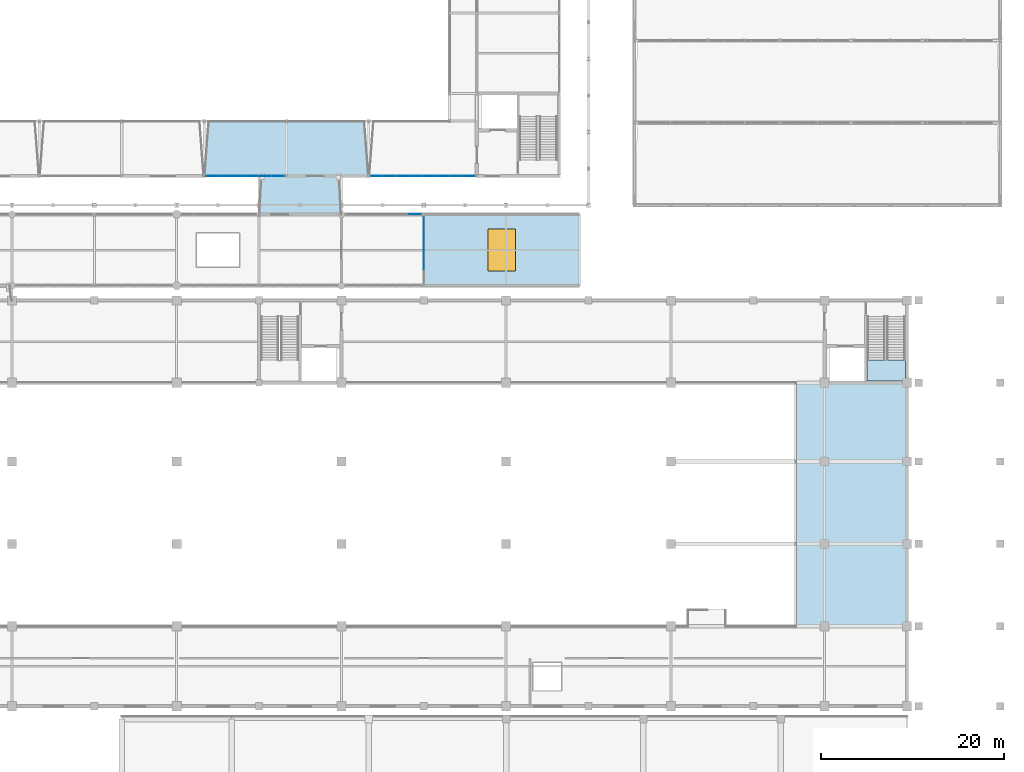
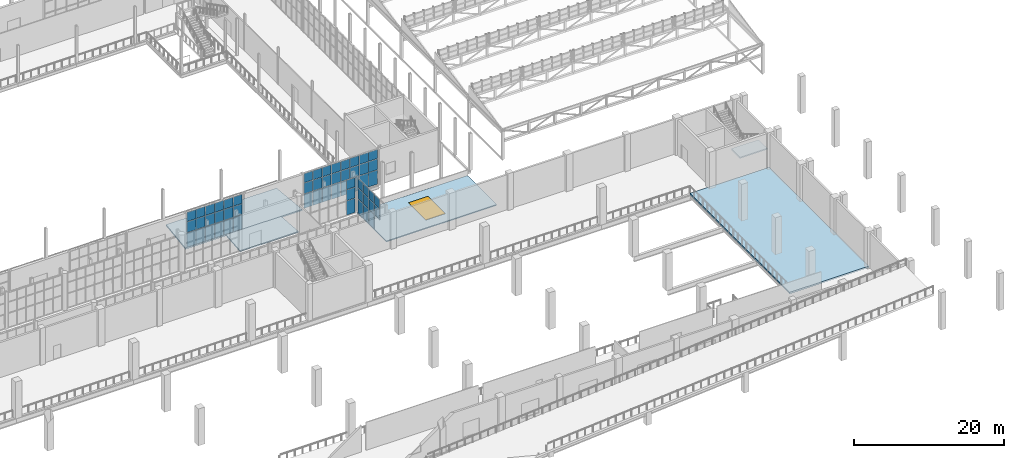
# One storey, part 112 of 159: 56 plates, 5 slabs, 1 window, 1 opening, 5 elements without a shape of their own.
"""IFC4 building model written with IfcOpenShell, lengths in metres."""

from ifc_helpers import new_model, si_unit, direction, frame, origin, origin_2d, place, context, subcontext, project, spatial, polyline, rectangle, outline, extrude, material, layer, layer_set, type_object, element, fill, aggregate, save


model = new_model("IFC4")

# Units and contexts
model_context = context("Model", 3, precision=1e-05, world=origin(), true_north=direction((0.0, 1.0)))
body_context = subcontext(model_context, "Body", "Model", "MODEL_VIEW")
ifc_project = project(units=[si_unit("LENGTHUNIT", "METRE"), si_unit("AREAUNIT", "SQUARE_METRE"), si_unit("VOLUMEUNIT", "CUBIC_METRE"), si_unit("PLANEANGLEUNIT", "RADIAN"), si_unit("MASSUNIT", "GRAM", prefix="KILO")], contexts=[model_context])

# Site, building, storey
site_placement = place(None, origin())
site = spatial("IfcSite", under=ifc_project, at=site_placement, CompositionType="ELEMENT")
building_placement = place(site_placement, origin())
building = spatial("IfcBuilding", under=site, at=building_placement, Name="Cazmaro Siding Exhibition Halls", CompositionType="ELEMENT")
storey_placement = place(building_placement, frame((0.0, 0.0, 6.0)))
storey = spatial("IfcBuildingStorey", under=building, at=storey_placement, Name="L01", CompositionType="ELEMENT", Elevation=6.0)

# Curtain wall, plates
ifc_material_1 = material(Name="Anodized Bronze Aluminum and Solar-Control Low-E Glazing", Category="aluminium")
ifc_layer_1 = layer(ifc_material_1, 0.179931640625)
ifc_layer_set_1 = layer_set([ifc_layer_1], Name="Anodized Bronze Aluminum and Solar-Control Low-E Glazing")
curtain_wall_type_1 = type_object("IfcCurtainWallType", Name="CWS-01", PredefinedType="USERDEFINED", material=ifc_layer_set_1)
curtain_wall_1_placement = place(storey_placement, origin())
curtain_wall_1 = element("IfcCurtainWall", 1, at=curtain_wall_1_placement, inside=storey, type_object=curtain_wall_type_1, Name="Glazed Curtain Wall CWS-01 CW-036", ObjectType="GLAZED CURTAIN WALL", PredefinedType="USERDEFINED")
ifc_material_2 = material(Name="Solar-Control Low-E Double Insulating Glass", Category="glass")
ifc_layer_2 = layer(ifc_material_2, 0.02392578125)
ifc_layer_set_2 = layer_set([ifc_layer_2], Name="Solar-Control Low-E Double Insulating Glass")
plate_type_1 = type_object("IfcPlateType", Name="CWP-01", PredefinedType="CURTAIN_PANEL", material=ifc_layer_set_2)
plate_1_placement = place(storey_placement, frame((129.92919921875, 67.199951171875, 0.06005859375), z_axis=(0.0, 0.0, 1.0), x_axis=(1.0, 0.0, 0.0)))
plate_1 = element("IfcPlate", 2, at=plate_1_placement, type_object=plate_type_1, Name="CWS-01 panel 1.1", PredefinedType="CURTAIN_PANEL", context=body_context, shape_type="SweptSolid", body=[
    extrude(rectangle(XDim=1.34423828125, YDim=0.02392578125, at=origin_2d()), origin(), (0.0, 0.0, 1.0), 2.31005859375),
])
plate_2_placement = place(storey_placement, frame((129.92919921875, 67.199951171875, 2.43017578125), z_axis=(0.0, 0.0, 1.0), x_axis=(1.0, 0.0, 0.0)))
plate_2 = element("IfcPlate", 3, at=plate_2_placement, type_object=plate_type_1, Name="CWS-01 panel 1.2", PredefinedType="CURTAIN_PANEL", context=body_context, shape_type="SweptSolid", body=[
    extrude(rectangle(XDim=1.34423828125, YDim=0.02392578125, at=origin_2d()), origin(), (0.0, 0.0, 1.0), 1.739990234375),
])
plate_3_placement = place(storey_placement, frame((129.92919921875, 67.199951171875, 4.22998046875), z_axis=(0.0, 0.0, 1.0), x_axis=(1.0, 0.0, 0.0)))
plate_3 = element("IfcPlate", 4, at=plate_3_placement, type_object=plate_type_1, Name="CWS-01 panel 1.3", PredefinedType="CURTAIN_PANEL", context=body_context, shape_type="SweptSolid", body=[
    extrude(rectangle(XDim=1.34423828125, YDim=0.02392578125, at=origin_2d()), origin(), (0.0, 0.0, 1.0), 1.489990234375),
])
plate_4_placement = place(storey_placement, frame((131.348388671875, 67.199951171875, 0.06005859375), z_axis=(0.0, 0.0, 1.0), x_axis=(1.0, 0.0, 0.0)))
plate_4 = element("IfcPlate", 5, at=plate_4_placement, type_object=plate_type_1, Name="CWS-01 panel 2.1", PredefinedType="CURTAIN_PANEL", context=body_context, shape_type="SweptSolid", body=[
    extrude(rectangle(XDim=1.374267578125, YDim=0.02392578125, at=origin_2d()), origin(), (0.0, 0.0, 1.0), 2.31005859375),
])
plate_5_placement = place(storey_placement, frame((131.348388671875, 67.199951171875, 2.43017578125), z_axis=(0.0, 0.0, 1.0), x_axis=(1.0, 0.0, 0.0)))
plate_5 = element("IfcPlate", 6, at=plate_5_placement, type_object=plate_type_1, Name="CWS-01 panel 2.2", PredefinedType="CURTAIN_PANEL", context=body_context, shape_type="SweptSolid", body=[
    extrude(rectangle(XDim=1.374267578125, YDim=0.02392578125, at=origin_2d()), origin(), (0.0, 0.0, 1.0), 1.739990234375),
])
plate_6_placement = place(storey_placement, frame((131.348388671875, 67.199951171875, 4.22998046875), z_axis=(0.0, 0.0, 1.0), x_axis=(1.0, 0.0, 0.0)))
plate_6 = element("IfcPlate", 7, at=plate_6_placement, type_object=plate_type_1, Name="CWS-01 panel 2.3", PredefinedType="CURTAIN_PANEL", context=body_context, shape_type="SweptSolid", body=[
    extrude(rectangle(XDim=1.374267578125, YDim=0.02392578125, at=origin_2d()), origin(), (0.0, 0.0, 1.0), 1.489990234375),
])
plate_7_placement = place(storey_placement, frame((132.78271484375, 67.199951171875, 0.06005859375), z_axis=(0.0, 0.0, 1.0), x_axis=(1.0, 0.0, 0.0)))
plate_7 = element("IfcPlate", 8, at=plate_7_placement, type_object=plate_type_1, Name="CWS-01 panel 3.1", PredefinedType="CURTAIN_PANEL", context=body_context, shape_type="SweptSolid", body=[
    extrude(rectangle(XDim=1.374267578125, YDim=0.02392578125, at=origin_2d()), origin(), (0.0, 0.0, 1.0), 2.31005859375),
])
plate_8_placement = place(storey_placement, frame((132.78271484375, 67.199951171875, 2.43017578125), z_axis=(0.0, 0.0, 1.0), x_axis=(1.0, 0.0, 0.0)))
plate_8 = element("IfcPlate", 9, at=plate_8_placement, type_object=plate_type_1, Name="CWS-01 panel 3.2", PredefinedType="CURTAIN_PANEL", context=body_context, shape_type="SweptSolid", body=[
    extrude(rectangle(XDim=1.374267578125, YDim=0.02392578125, at=origin_2d()), origin(), (0.0, 0.0, 1.0), 1.739990234375),
])
plate_9_placement = place(storey_placement, frame((132.78271484375, 67.199951171875, 4.22998046875), z_axis=(0.0, 0.0, 1.0), x_axis=(1.0, 0.0, 0.0)))
plate_9 = element("IfcPlate", 10, at=plate_9_placement, type_object=plate_type_1, Name="CWS-01 panel 3.3", PredefinedType="CURTAIN_PANEL", context=body_context, shape_type="SweptSolid", body=[
    extrude(rectangle(XDim=1.374267578125, YDim=0.02392578125, at=origin_2d()), origin(), (0.0, 0.0, 1.0), 1.489990234375),
])
plate_10_placement = place(storey_placement, frame((134.21728515625, 67.199951171875, 0.06005859375), z_axis=(0.0, 0.0, 1.0), x_axis=(1.0, 0.0, 0.0)))
plate_10 = element("IfcPlate", 11, at=plate_10_placement, type_object=plate_type_1, Name="CWS-01 panel 4.1", PredefinedType="CURTAIN_PANEL", context=body_context, shape_type="SweptSolid", body=[
    extrude(rectangle(XDim=1.374267578125, YDim=0.02392578125, at=origin_2d()), origin(), (0.0, 0.0, 1.0), 2.31005859375),
])
plate_11_placement = place(storey_placement, frame((134.21728515625, 67.199951171875, 2.43017578125), z_axis=(0.0, 0.0, 1.0), x_axis=(1.0, 0.0, 0.0)))
plate_11 = element("IfcPlate", 12, at=plate_11_placement, type_object=plate_type_1, Name="CWS-01 panel 4.2", PredefinedType="CURTAIN_PANEL", context=body_context, shape_type="SweptSolid", body=[
    extrude(rectangle(XDim=1.374267578125, YDim=0.02392578125, at=origin_2d()), origin(), (0.0, 0.0, 1.0), 1.739990234375),
])
plate_12_placement = place(storey_placement, frame((134.21728515625, 67.199951171875, 4.22998046875), z_axis=(0.0, 0.0, 1.0), x_axis=(1.0, 0.0, 0.0)))
plate_12 = element("IfcPlate", 13, at=plate_12_placement, type_object=plate_type_1, Name="CWS-01 panel 4.3", PredefinedType="CURTAIN_PANEL", context=body_context, shape_type="SweptSolid", body=[
    extrude(rectangle(XDim=1.374267578125, YDim=0.02392578125, at=origin_2d()), origin(), (0.0, 0.0, 1.0), 1.489990234375),
])
plate_13_placement = place(storey_placement, frame((135.651611328125, 67.199951171875, 0.06005859375), z_axis=(0.0, 0.0, 1.0), x_axis=(1.0, 0.0, 0.0)))
plate_13 = element("IfcPlate", 14, at=plate_13_placement, type_object=plate_type_1, Name="CWS-01 panel 5.1", PredefinedType="CURTAIN_PANEL", context=body_context, shape_type="SweptSolid", body=[
    extrude(rectangle(XDim=1.374267578125, YDim=0.02392578125, at=origin_2d()), origin(), (0.0, 0.0, 1.0), 2.31005859375),
])
plate_14_placement = place(storey_placement, frame((135.651611328125, 67.199951171875, 2.43017578125), z_axis=(0.0, 0.0, 1.0), x_axis=(1.0, 0.0, 0.0)))
plate_14 = element("IfcPlate", 15, at=plate_14_placement, type_object=plate_type_1, Name="CWS-01 panel 5.2", PredefinedType="CURTAIN_PANEL", context=body_context, shape_type="SweptSolid", body=[
    extrude(rectangle(XDim=1.374267578125, YDim=0.02392578125, at=origin_2d()), origin(), (0.0, 0.0, 1.0), 1.739990234375),
])
plate_15_placement = place(storey_placement, frame((135.651611328125, 67.199951171875, 4.22998046875), z_axis=(0.0, 0.0, 1.0), x_axis=(1.0, 0.0, 0.0)))
plate_15 = element("IfcPlate", 16, at=plate_15_placement, type_object=plate_type_1, Name="CWS-01 panel 5.3", PredefinedType="CURTAIN_PANEL", context=body_context, shape_type="SweptSolid", body=[
    extrude(rectangle(XDim=1.374267578125, YDim=0.02392578125, at=origin_2d()), origin(), (0.0, 0.0, 1.0), 1.489990234375),
])
plate_16_placement = place(storey_placement, frame((137.07080078125, 67.199951171875, 0.06005859375), z_axis=(0.0, 0.0, 1.0), x_axis=(1.0, 0.0, 0.0)))
plate_16 = element("IfcPlate", 17, at=plate_16_placement, type_object=plate_type_1, Name="CWS-01 panel 6.1", PredefinedType="CURTAIN_PANEL", context=body_context, shape_type="SweptSolid", body=[
    extrude(rectangle(XDim=1.34423828125, YDim=0.02392578125, at=origin_2d()), origin(), (0.0, 0.0, 1.0), 2.31005859375),
])
plate_17_placement = place(storey_placement, frame((137.07080078125, 67.199951171875, 2.43017578125), z_axis=(0.0, 0.0, 1.0), x_axis=(1.0, 0.0, 0.0)))
plate_17 = element("IfcPlate", 18, at=plate_17_placement, type_object=plate_type_1, Name="CWS-01 panel 6.2", PredefinedType="CURTAIN_PANEL", context=body_context, shape_type="SweptSolid", body=[
    extrude(rectangle(XDim=1.34423828125, YDim=0.02392578125, at=origin_2d()), origin(), (0.0, 0.0, 1.0), 1.739990234375),
])
plate_18_placement = place(storey_placement, frame((137.07080078125, 67.199951171875, 4.22998046875), z_axis=(0.0, 0.0, 1.0), x_axis=(1.0, 0.0, 0.0)))
plate_18 = element("IfcPlate", 19, at=plate_18_placement, type_object=plate_type_1, Name="CWS-01 panel 6.3", PredefinedType="CURTAIN_PANEL", context=body_context, shape_type="SweptSolid", body=[
    extrude(rectangle(XDim=1.34423828125, YDim=0.02392578125, at=origin_2d()), origin(), (0.0, 0.0, 1.0), 1.489990234375),
])
aggregate(curtain_wall_1, [plate_1, plate_2, plate_3, plate_4, plate_5, plate_6, plate_7, plate_8, plate_9, plate_10, plate_11, plate_12, plate_13, plate_14, plate_15, plate_16, plate_17, plate_18])

curtain_wall_2_placement = place(storey_placement, origin())
curtain_wall_2 = element("IfcCurtainWall", 20, at=curtain_wall_2_placement, inside=storey, type_object=curtain_wall_type_1, Name="Glazed Curtain Wall CWS-01 CW-044", ObjectType="GLAZED CURTAIN WALL", PredefinedType="USERDEFINED")
plate_19_placement = place(storey_placement, frame((147.9248046875, 67.199951171875, 0.06005859375), z_axis=(0.0, 0.0, 1.0), x_axis=(1.0, 0.0, 0.0)))
plate_19 = element("IfcPlate", 21, at=plate_19_placement, type_object=plate_type_1, Name="CWS-01 panel 1.1", PredefinedType="CURTAIN_PANEL", context=body_context, shape_type="SweptSolid", body=[
    extrude(rectangle(XDim=1.335693359375, YDim=0.02392578125, at=origin_2d()), origin(), (0.0, 0.0, 1.0), 2.31005859375),
])
plate_20_placement = place(storey_placement, frame((147.9248046875, 67.199951171875, 2.43017578125), z_axis=(0.0, 0.0, 1.0), x_axis=(1.0, 0.0, 0.0)))
plate_20 = element("IfcPlate", 22, at=plate_20_placement, type_object=plate_type_1, Name="CWS-01 panel 1.2", PredefinedType="CURTAIN_PANEL", context=body_context, shape_type="SweptSolid", body=[
    extrude(rectangle(XDim=1.335693359375, YDim=0.02392578125, at=origin_2d()), origin(), (0.0, 0.0, 1.0), 1.739990234375),
])
plate_21_placement = place(storey_placement, frame((147.9248046875, 67.199951171875, 4.22998046875), z_axis=(0.0, 0.0, 1.0), x_axis=(1.0, 0.0, 0.0)))
plate_21 = element("IfcPlate", 23, at=plate_21_placement, type_object=plate_type_1, Name="CWS-01 panel 1.3", PredefinedType="CURTAIN_PANEL", context=body_context, shape_type="SweptSolid", body=[
    extrude(rectangle(XDim=1.335693359375, YDim=0.02392578125, at=origin_2d()), origin(), (0.0, 0.0, 1.0), 1.489990234375),
])
plate_22_placement = place(storey_placement, frame((149.335693359375, 67.199951171875, 0.06005859375), z_axis=(0.0, 0.0, 1.0), x_axis=(1.0, 0.0, 0.0)))
plate_22 = element("IfcPlate", 24, at=plate_22_placement, type_object=plate_type_1, Name="CWS-01 panel 2.1", PredefinedType="CURTAIN_PANEL", context=body_context, shape_type="SweptSolid", body=[
    extrude(rectangle(XDim=1.36572265625, YDim=0.02392578125, at=origin_2d()), origin(), (0.0, 0.0, 1.0), 2.31005859375),
])
plate_23_placement = place(storey_placement, frame((149.335693359375, 67.199951171875, 2.43017578125), z_axis=(0.0, 0.0, 1.0), x_axis=(1.0, 0.0, 0.0)))
plate_23 = element("IfcPlate", 25, at=plate_23_placement, type_object=plate_type_1, Name="CWS-01 panel 2.2", PredefinedType="CURTAIN_PANEL", context=body_context, shape_type="SweptSolid", body=[
    extrude(rectangle(XDim=1.36572265625, YDim=0.02392578125, at=origin_2d()), origin(), (0.0, 0.0, 1.0), 1.739990234375),
])
plate_24_placement = place(storey_placement, frame((149.335693359375, 67.199951171875, 4.22998046875), z_axis=(0.0, 0.0, 1.0), x_axis=(1.0, 0.0, 0.0)))
plate_24 = element("IfcPlate", 26, at=plate_24_placement, type_object=plate_type_1, Name="CWS-01 panel 2.3", PredefinedType="CURTAIN_PANEL", context=body_context, shape_type="SweptSolid", body=[
    extrude(rectangle(XDim=1.36572265625, YDim=0.02392578125, at=origin_2d()), origin(), (0.0, 0.0, 1.0), 1.489990234375),
])
plate_25_placement = place(storey_placement, frame((150.761474609375, 67.199951171875, 0.06005859375), z_axis=(0.0, 0.0, 1.0), x_axis=(1.0, 0.0, 0.0)))
plate_25 = element("IfcPlate", 27, at=plate_25_placement, type_object=plate_type_1, Name="CWS-01 panel 3.1", PredefinedType="CURTAIN_PANEL", context=body_context, shape_type="SweptSolid", body=[
    extrude(rectangle(XDim=1.36572265625, YDim=0.02392578125, at=origin_2d()), origin(), (0.0, 0.0, 1.0), 2.31005859375),
])
plate_26_placement = place(storey_placement, frame((150.761474609375, 67.199951171875, 2.43017578125), z_axis=(0.0, 0.0, 1.0), x_axis=(1.0, 0.0, 0.0)))
plate_26 = element("IfcPlate", 28, at=plate_26_placement, type_object=plate_type_1, Name="CWS-01 panel 3.2", PredefinedType="CURTAIN_PANEL", context=body_context, shape_type="SweptSolid", body=[
    extrude(rectangle(XDim=1.36572265625, YDim=0.02392578125, at=origin_2d()), origin(), (0.0, 0.0, 1.0), 1.739990234375),
])
plate_27_placement = place(storey_placement, frame((150.761474609375, 67.199951171875, 4.22998046875), z_axis=(0.0, 0.0, 1.0), x_axis=(1.0, 0.0, 0.0)))
plate_27 = element("IfcPlate", 29, at=plate_27_placement, type_object=plate_type_1, Name="CWS-01 panel 3.3", PredefinedType="CURTAIN_PANEL", context=body_context, shape_type="SweptSolid", body=[
    extrude(rectangle(XDim=1.36572265625, YDim=0.02392578125, at=origin_2d()), origin(), (0.0, 0.0, 1.0), 1.489990234375),
])
plate_28_placement = place(storey_placement, frame((152.18701171875, 67.199951171875, 0.06005859375), z_axis=(0.0, 0.0, 1.0), x_axis=(1.0, 0.0, 0.0)))
plate_28 = element("IfcPlate", 30, at=plate_28_placement, type_object=plate_type_1, Name="CWS-01 panel 4.1", PredefinedType="CURTAIN_PANEL", context=body_context, shape_type="SweptSolid", body=[
    extrude(rectangle(XDim=1.36572265625, YDim=0.02392578125, at=origin_2d()), origin(), (0.0, 0.0, 1.0), 2.31005859375),
])
plate_29_placement = place(storey_placement, frame((152.18701171875, 67.199951171875, 2.43017578125), z_axis=(0.0, 0.0, 1.0), x_axis=(1.0, 0.0, 0.0)))
plate_29 = element("IfcPlate", 31, at=plate_29_placement, type_object=plate_type_1, Name="CWS-01 panel 4.2", PredefinedType="CURTAIN_PANEL", context=body_context, shape_type="SweptSolid", body=[
    extrude(rectangle(XDim=1.36572265625, YDim=0.02392578125, at=origin_2d()), origin(), (0.0, 0.0, 1.0), 1.739990234375),
])
plate_30_placement = place(storey_placement, frame((152.18701171875, 67.199951171875, 4.22998046875), z_axis=(0.0, 0.0, 1.0), x_axis=(1.0, 0.0, 0.0)))
plate_30 = element("IfcPlate", 32, at=plate_30_placement, type_object=plate_type_1, Name="CWS-01 panel 4.3", PredefinedType="CURTAIN_PANEL", context=body_context, shape_type="SweptSolid", body=[
    extrude(rectangle(XDim=1.36572265625, YDim=0.02392578125, at=origin_2d()), origin(), (0.0, 0.0, 1.0), 1.489990234375),
])
plate_31_placement = place(storey_placement, frame((153.61279296875, 67.199951171875, 0.06005859375), z_axis=(0.0, 0.0, 1.0), x_axis=(1.0, 0.0, 0.0)))
plate_31 = element("IfcPlate", 33, at=plate_31_placement, type_object=plate_type_1, Name="CWS-01 panel 5.1", PredefinedType="CURTAIN_PANEL", context=body_context, shape_type="SweptSolid", body=[
    extrude(rectangle(XDim=1.36572265625, YDim=0.02392578125, at=origin_2d()), origin(), (0.0, 0.0, 1.0), 2.31005859375),
])
plate_32_placement = place(storey_placement, frame((153.61279296875, 67.199951171875, 2.43017578125), z_axis=(0.0, 0.0, 1.0), x_axis=(1.0, 0.0, 0.0)))
plate_32 = element("IfcPlate", 34, at=plate_32_placement, type_object=plate_type_1, Name="CWS-01 panel 5.2", PredefinedType="CURTAIN_PANEL", context=body_context, shape_type="SweptSolid", body=[
    extrude(rectangle(XDim=1.36572265625, YDim=0.02392578125, at=origin_2d()), origin(), (0.0, 0.0, 1.0), 1.739990234375),
])
plate_33_placement = place(storey_placement, frame((153.61279296875, 67.199951171875, 4.22998046875), z_axis=(0.0, 0.0, 1.0), x_axis=(1.0, 0.0, 0.0)))
plate_33 = element("IfcPlate", 35, at=plate_33_placement, type_object=plate_type_1, Name="CWS-01 panel 5.3", PredefinedType="CURTAIN_PANEL", context=body_context, shape_type="SweptSolid", body=[
    extrude(rectangle(XDim=1.36572265625, YDim=0.02392578125, at=origin_2d()), origin(), (0.0, 0.0, 1.0), 1.489990234375),
])
plate_34_placement = place(storey_placement, frame((155.03857421875, 67.199951171875, 0.06005859375), z_axis=(0.0, 0.0, 1.0), x_axis=(1.0, 0.0, 0.0)))
plate_34 = element("IfcPlate", 36, at=plate_34_placement, type_object=plate_type_1, Name="CWS-01 panel 6.1", PredefinedType="CURTAIN_PANEL", context=body_context, shape_type="SweptSolid", body=[
    extrude(rectangle(XDim=1.36572265625, YDim=0.02392578125, at=origin_2d()), origin(), (0.0, 0.0, 1.0), 2.31005859375),
])
plate_35_placement = place(storey_placement, frame((155.03857421875, 67.199951171875, 2.43017578125), z_axis=(0.0, 0.0, 1.0), x_axis=(1.0, 0.0, 0.0)))
plate_35 = element("IfcPlate", 37, at=plate_35_placement, type_object=plate_type_1, Name="CWS-01 panel 6.2", PredefinedType="CURTAIN_PANEL", context=body_context, shape_type="SweptSolid", body=[
    extrude(rectangle(XDim=1.36572265625, YDim=0.02392578125, at=origin_2d()), origin(), (0.0, 0.0, 1.0), 1.739990234375),
])
plate_36_placement = place(storey_placement, frame((155.03857421875, 67.199951171875, 4.22998046875), z_axis=(0.0, 0.0, 1.0), x_axis=(1.0, 0.0, 0.0)))
plate_36 = element("IfcPlate", 38, at=plate_36_placement, type_object=plate_type_1, Name="CWS-01 panel 6.3", PredefinedType="CURTAIN_PANEL", context=body_context, shape_type="SweptSolid", body=[
    extrude(rectangle(XDim=1.36572265625, YDim=0.02392578125, at=origin_2d()), origin(), (0.0, 0.0, 1.0), 1.489990234375),
])
plate_37_placement = place(storey_placement, frame((156.46435546875, 67.199951171875, 0.06005859375), z_axis=(0.0, 0.0, 1.0), x_axis=(1.0, 0.0, 0.0)))
plate_37 = element("IfcPlate", 39, at=plate_37_placement, type_object=plate_type_1, Name="CWS-01 panel 7.1", PredefinedType="CURTAIN_PANEL", context=body_context, shape_type="SweptSolid", body=[
    extrude(rectangle(XDim=1.36572265625, YDim=0.02392578125, at=origin_2d()), origin(), (0.0, 0.0, 1.0), 2.31005859375),
])
plate_38_placement = place(storey_placement, frame((156.46435546875, 67.199951171875, 2.43017578125), z_axis=(0.0, 0.0, 1.0), x_axis=(1.0, 0.0, 0.0)))
plate_38 = element("IfcPlate", 40, at=plate_38_placement, type_object=plate_type_1, Name="CWS-01 panel 7.2", PredefinedType="CURTAIN_PANEL", context=body_context, shape_type="SweptSolid", body=[
    extrude(rectangle(XDim=1.36572265625, YDim=0.02392578125, at=origin_2d()), origin(), (0.0, 0.0, 1.0), 1.739990234375),
])
plate_39_placement = place(storey_placement, frame((156.46435546875, 67.199951171875, 4.22998046875), z_axis=(0.0, 0.0, 1.0), x_axis=(1.0, 0.0, 0.0)))
plate_39 = element("IfcPlate", 41, at=plate_39_placement, type_object=plate_type_1, Name="CWS-01 panel 7.3", PredefinedType="CURTAIN_PANEL", context=body_context, shape_type="SweptSolid", body=[
    extrude(rectangle(XDim=1.36572265625, YDim=0.02392578125, at=origin_2d()), origin(), (0.0, 0.0, 1.0), 1.489990234375),
])
plate_40_placement = place(storey_placement, frame((157.875244140625, 67.199951171875, 0.06005859375), z_axis=(0.0, 0.0, 1.0), x_axis=(1.0, 0.0, 0.0)))
plate_40 = element("IfcPlate", 42, at=plate_40_placement, type_object=plate_type_1, Name="CWS-01 panel 8.1", PredefinedType="CURTAIN_PANEL", context=body_context, shape_type="SweptSolid", body=[
    extrude(rectangle(XDim=1.335693359375, YDim=0.02392578125, at=origin_2d()), origin(), (0.0, 0.0, 1.0), 2.31005859375),
])
plate_41_placement = place(storey_placement, frame((157.875244140625, 67.199951171875, 2.43017578125), z_axis=(0.0, 0.0, 1.0), x_axis=(1.0, 0.0, 0.0)))
plate_41 = element("IfcPlate", 43, at=plate_41_placement, type_object=plate_type_1, Name="CWS-01 panel 8.2", PredefinedType="CURTAIN_PANEL", context=body_context, shape_type="SweptSolid", body=[
    extrude(rectangle(XDim=1.335693359375, YDim=0.02392578125, at=origin_2d()), origin(), (0.0, 0.0, 1.0), 1.739990234375),
])
plate_42_placement = place(storey_placement, frame((157.875244140625, 67.199951171875, 4.22998046875), z_axis=(0.0, 0.0, 1.0), x_axis=(1.0, 0.0, 0.0)))
plate_42 = element("IfcPlate", 44, at=plate_42_placement, type_object=plate_type_1, Name="CWS-01 panel 8.3", PredefinedType="CURTAIN_PANEL", context=body_context, shape_type="SweptSolid", body=[
    extrude(rectangle(XDim=1.335693359375, YDim=0.02392578125, at=origin_2d()), origin(), (0.0, 0.0, 1.0), 1.489990234375),
])
aggregate(curtain_wall_2, [plate_19, plate_20, plate_21, plate_22, plate_23, plate_24, plate_25, plate_26, plate_27, plate_28, plate_29, plate_30, plate_31, plate_32, plate_33, plate_34, plate_35, plate_36, plate_37, plate_38, plate_39, plate_40, plate_41, plate_42])

curtain_wall_3_placement = place(storey_placement, origin())
curtain_wall_3 = element("IfcCurtainWall", 45, at=curtain_wall_3_placement, inside=storey, type_object=curtain_wall_type_1, Name="Glazed Curtain Wall CWS-01 CW-203", ObjectType="GLAZED CURTAIN WALL", PredefinedType="USERDEFINED")
plate_43_placement = place(storey_placement, frame((152.05810546875, 63.0, 0.06005859375), z_axis=(0.0, 0.0, 1.0), x_axis=(-1.0, 0.0, 0.0)))
plate_43 = element("IfcPlate", 46, at=plate_43_placement, type_object=plate_type_1, Name="CWS-01 panel 1.1", PredefinedType="CURTAIN_PANEL", context=body_context, shape_type="SweptSolid", body=[
    extrude(rectangle(XDim=1.3037109375, YDim=0.02392578125, at=origin_2d()), origin(), (0.0, 0.0, 1.0), 2.31005859375),
])
plate_44_placement = place(storey_placement, frame((152.05810546875, 63.0, 2.43017578125), z_axis=(0.0, 0.0, 1.0), x_axis=(-1.0, 0.0, 0.0)))
plate_44 = element("IfcPlate", 47, at=plate_44_placement, type_object=plate_type_1, Name="CWS-01 panel 1.2", PredefinedType="CURTAIN_PANEL", context=body_context, shape_type="SweptSolid", body=[
    extrude(rectangle(XDim=1.3037109375, YDim=0.02392578125, at=origin_2d()), origin(), (0.0, 0.0, 1.0), 1.739990234375),
])
plate_45_placement = place(storey_placement, frame((152.05810546875, 63.0, 4.22998046875), z_axis=(0.0, 0.0, 1.0), x_axis=(-1.0, 0.0, 0.0)))
plate_45 = element("IfcPlate", 48, at=plate_45_placement, type_object=plate_type_1, Name="CWS-01 panel 1.3", PredefinedType="CURTAIN_PANEL", context=body_context, shape_type="SweptSolid", body=[
    extrude(rectangle(XDim=1.3037109375, YDim=0.02392578125, at=origin_2d()), origin(), (0.0, 0.0, 1.0), 1.489990234375),
])
aggregate(curtain_wall_3, [plate_43, plate_44, plate_45])

ifc_material_3 = material(Name="Anodized Bronze Aluminum and Solar-Control Low-E Glazing", Category="aluminium")
ifc_layer_3 = layer(ifc_material_3, 0.199951171875)
ifc_layer_set_3 = layer_set([ifc_layer_3], Name="Anodized Bronze Aluminum and Solar-Control Low-E Glazing")
curtain_wall_type_2 = type_object("IfcCurtainWallType", Name="CWS-02", PredefinedType="USERDEFINED", material=ifc_layer_set_3)
curtain_wall_4_placement = place(storey_placement, origin())
curtain_wall_4 = element("IfcCurtainWall", 49, at=curtain_wall_4_placement, inside=storey, type_object=curtain_wall_type_2, Name="Glazed Curtain Wall CWS-02 CW-208", ObjectType="GLAZED CURTAIN WALL", PredefinedType="USERDEFINED")
ifc_material_4 = material(Name="Solar-Control Low-E Double Insulating Glass", Category="glass")
ifc_layer_4 = layer(ifc_material_4, 0.035888671875)
ifc_layer_set_4 = layer_set([ifc_layer_4], Name="Solar-Control Low-E Double Insulating Glass")
plate_type_2 = type_object("IfcPlateType", Name="CWP-02", PredefinedType="CURTAIN_PANEL", material=ifc_layer_set_4)
plate_46_placement = place(storey_placement, frame((153.0, 57.630859375, 2.4326171875), z_axis=(0.0, 0.0, 1.0), x_axis=(0.0, 1.0, 0.0)))
plate_46 = element("IfcPlate", 50, at=plate_46_placement, type_object=plate_type_2, Name="CWS-02 panel 2.2", PredefinedType="CURTAIN_PANEL", context=body_context, shape_type="SweptSolid", body=[
    extrude(rectangle(XDim=1.404296875, YDim=0.035888671875, at=origin_2d()), origin(), (0.0, 0.0, 1.0), 1.735107421875),
])
plate_47_placement = place(storey_placement, frame((153.0, 57.630859375, 4.232421875), z_axis=(0.0, 0.0, 1.0), x_axis=(0.0, 1.0, 0.0)))
plate_47 = element("IfcPlate", 51, at=plate_47_placement, type_object=plate_type_2, Name="CWS-02 panel 2.3", PredefinedType="CURTAIN_PANEL", context=body_context, shape_type="SweptSolid", body=[
    extrude(rectangle(XDim=1.404296875, YDim=0.035888671875, at=origin_2d()), origin(), (0.0, 0.0, 1.0), 1.482421875),
])
plate_48_placement = place(storey_placement, frame((153.0, 59.10009765625, 0.06494140625), z_axis=(0.0, 0.0, 1.0), x_axis=(0.0, 1.0, 0.0)))
plate_48 = element("IfcPlate", 52, at=plate_48_placement, type_object=plate_type_2, Name="CWS-02 panel 3.1", PredefinedType="CURTAIN_PANEL", context=body_context, shape_type="SweptSolid", body=[
    extrude(rectangle(XDim=1.404296875, YDim=0.035888671875, at=origin_2d()), origin(), (0.0, 0.0, 1.0), 2.302490234375),
])
plate_49_placement = place(storey_placement, frame((153.0, 59.10009765625, 2.4326171875), z_axis=(0.0, 0.0, 1.0), x_axis=(0.0, 1.0, 0.0)))
plate_49 = element("IfcPlate", 53, at=plate_49_placement, type_object=plate_type_2, Name="CWS-02 panel 3.2", PredefinedType="CURTAIN_PANEL", context=body_context, shape_type="SweptSolid", body=[
    extrude(rectangle(XDim=1.404296875, YDim=0.035888671875, at=origin_2d()), origin(), (0.0, 0.0, 1.0), 1.735107421875),
])
plate_50_placement = place(storey_placement, frame((153.0, 59.10009765625, 4.232421875), z_axis=(0.0, 0.0, 1.0), x_axis=(0.0, 1.0, 0.0)))
plate_50 = element("IfcPlate", 54, at=plate_50_placement, type_object=plate_type_2, Name="CWS-02 panel 3.3", PredefinedType="CURTAIN_PANEL", context=body_context, shape_type="SweptSolid", body=[
    extrude(rectangle(XDim=1.404296875, YDim=0.035888671875, at=origin_2d()), origin(), (0.0, 0.0, 1.0), 1.482421875),
])
plate_51_placement = place(storey_placement, frame((153.0, 60.569091796875, 0.06494140625), z_axis=(0.0, 0.0, 1.0), x_axis=(0.0, 1.0, 0.0)))
plate_51 = element("IfcPlate", 55, at=plate_51_placement, type_object=plate_type_2, Name="CWS-02 panel 4.1", PredefinedType="CURTAIN_PANEL", context=body_context, shape_type="SweptSolid", body=[
    extrude(rectangle(XDim=1.404296875, YDim=0.035888671875, at=origin_2d()), origin(), (0.0, 0.0, 1.0), 2.302490234375),
])
plate_52_placement = place(storey_placement, frame((153.0, 60.569091796875, 2.4326171875), z_axis=(0.0, 0.0, 1.0), x_axis=(0.0, 1.0, 0.0)))
plate_52 = element("IfcPlate", 56, at=plate_52_placement, type_object=plate_type_2, Name="CWS-02 panel 4.2", PredefinedType="CURTAIN_PANEL", context=body_context, shape_type="SweptSolid", body=[
    extrude(rectangle(XDim=1.404296875, YDim=0.035888671875, at=origin_2d()), origin(), (0.0, 0.0, 1.0), 1.735107421875),
])
plate_53_placement = place(storey_placement, frame((153.0, 60.569091796875, 4.232421875), z_axis=(0.0, 0.0, 1.0), x_axis=(0.0, 1.0, 0.0)))
plate_53 = element("IfcPlate", 57, at=plate_53_placement, type_object=plate_type_2, Name="CWS-02 panel 4.3", PredefinedType="CURTAIN_PANEL", context=body_context, shape_type="SweptSolid", body=[
    extrude(rectangle(XDim=1.404296875, YDim=0.035888671875, at=origin_2d()), origin(), (0.0, 0.0, 1.0), 1.482421875),
])
plate_54_placement = place(storey_placement, frame((153.0, 62.022216796875, 0.06494140625), z_axis=(0.0, 0.0, 1.0), x_axis=(0.0, 1.0, 0.0)))
plate_54 = element("IfcPlate", 58, at=plate_54_placement, type_object=plate_type_2, Name="CWS-02 panel 5.1", PredefinedType="CURTAIN_PANEL", context=body_context, shape_type="SweptSolid", body=[
    extrude(rectangle(XDim=1.37158203125, YDim=0.035888671875, at=origin_2d()), origin(), (0.0, 0.0, 1.0), 2.302490234375),
])
plate_55_placement = place(storey_placement, frame((153.0, 62.022216796875, 2.4326171875), z_axis=(0.0, 0.0, 1.0), x_axis=(0.0, 1.0, 0.0)))
plate_55 = element("IfcPlate", 59, at=plate_55_placement, type_object=plate_type_2, Name="CWS-02 panel 5.2", PredefinedType="CURTAIN_PANEL", context=body_context, shape_type="SweptSolid", body=[
    extrude(rectangle(XDim=1.37158203125, YDim=0.035888671875, at=origin_2d()), origin(), (0.0, 0.0, 1.0), 1.735107421875),
])
plate_56_placement = place(storey_placement, frame((153.0, 62.022216796875, 4.232421875), z_axis=(0.0, 0.0, 1.0), x_axis=(0.0, 1.0, 0.0)))
plate_56 = element("IfcPlate", 60, at=plate_56_placement, type_object=plate_type_2, Name="CWS-02 panel 5.3", PredefinedType="CURTAIN_PANEL", context=body_context, shape_type="SweptSolid", body=[
    extrude(rectangle(XDim=1.37158203125, YDim=0.035888671875, at=origin_2d()), origin(), (0.0, 0.0, 1.0), 1.482421875),
])
aggregate(curtain_wall_4, [plate_46, plate_47, plate_48, plate_49, plate_50, plate_51, plate_52, plate_53, plate_54, plate_55, plate_56])

# Slabs
ifc_material_5 = material(Name="Concrete f'c 35 MPa", Category="concrete")
ifc_layer_5 = layer(ifc_material_5, 0.219970703125)
ifc_layer_set_5 = layer_set([ifc_layer_5], Name="Concrete f'c 35 MPa")
slab_type_1 = type_object("IfcSlabType", Name="FS-01", PredefinedType="FLOOR", material=ifc_layer_set_5)
slab_1_placement = place(storey_placement, frame((0.0, 0.0, -0.219970703125)))
element("IfcSlab", 61, at=slab_1_placement, inside=storey, type_object=slab_type_1, Name="Hall A South Exhibitor Gallery Bay 5 L01 FS-01 SLB-0094", PredefinedType="FLOOR", context=body_context, shape_type="SweptSolid", body=[
    extrude(outline(polyline([(129.0, 67.199951171875), (147.0, 67.199951171875), (146.5, 73.199951171875), (129.5, 73.199951171875), (129.0, 67.199951171875)])), origin(), (0.0, 0.0, 1.0), 0.219970703125),
])
ifc_material_6 = material(Name="Concrete f'c 35 MPa", Category="concrete")
ifc_layer_6 = layer(ifc_material_6, 0.25)
ifc_layer_set_6 = layer_set([ifc_layer_6], Name="Concrete f'c 35 MPa")
slab_type_2 = type_object("IfcSlabType", Name="FS-02", PredefinedType="FLOOR", material=ifc_layer_set_6)
slab_2_placement = place(storey_placement, frame((0.0, 0.0, -0.25)))
element("IfcSlab", 62, at=slab_2_placement, inside=storey, type_object=slab_type_2, Name="Hall B1 East Mezzanine Link Gallery L01 FS-02 SLB-0017", PredefinedType="FLOOR", context=body_context, shape_type="SweptSolid", body=[
    extrude(outline(polyline([(193.60009765625, 18.0), (205.800048828125, 18.0), (205.800048828125, 44.60009765625), (193.60009765625, 44.60009765625), (193.60009765625, 18.0)])), origin(), (0.0, 0.0, 1.0), 0.25),
])
ifc_material_7 = material(Name="Concrete f'c 35 MPa", Category="concrete")
ifc_layer_7 = layer(ifc_material_7, 0.18994140625)
ifc_layer_set_7 = layer_set([ifc_layer_7], Name="Concrete f'c 35 MPa")
slab_type_3 = type_object("IfcSlabType", Name="FS-04", PredefinedType="FLOOR", material=ifc_layer_set_7)
slab_3_placement = place(storey_placement, frame((0.0, 0.0, -0.18994140625)))
element("IfcSlab", 63, at=slab_3_placement, inside=storey, type_object=slab_type_3, Name="Concourse Sliding Bridge SB-02 L01 FS-04 SLB-0048", PredefinedType="FLOOR", context=body_context, shape_type="SweptSolid", body=[
    extrude(outline(polyline([(135.0, 63.0), (144.0, 63.0), (143.75, 67.199951171875), (135.25, 67.199951171875), (135.0, 63.0)])), origin(), (0.0, 0.0, 1.0), 0.18994140625),
])

# Stair, slab
ifc_material_8 = material(Name="Concrete f'c 40 MPa", Category="concrete")
stair_type = type_object("IfcStairType", Name="STT-10", PredefinedType="TWO_STRAIGHT_RUN_STAIR", material=ifc_material_8)
stair_placement = place(storey_placement, origin())
stair = element("IfcStair", 64, at=stair_placement, inside=storey, type_object=stair_type, Name="Core C5 Exit Stair L01-L02 ST-10", PredefinedType="TWO_STRAIGHT_RUN_STAIR")
ifc_material_9 = material(Name="Concrete f'c 40 MPa", Category="concrete")
ifc_layer_8 = layer(ifc_material_9, 0.199951171875)
ifc_layer_set_8 = layer_set([ifc_layer_8], Name="Concrete f'c 40 MPa")
slab_type_4 = type_object("IfcSlabType", Name="LND-10", PredefinedType="LANDING", material=ifc_layer_set_8)
slab_4_placement = place(storey_placement, frame((0.0, 0.0, 2.800048828125)))
slab_4 = element("IfcSlab", 65, at=slab_4_placement, type_object=slab_type_4, Name="ST-10 landing 1", PredefinedType="LANDING", context=body_context, shape_type="SweptSolid", body=[
    extrude(outline(polyline([(201.419921875, 44.77490234375), (205.625, 44.77490234375), (205.625, 47.10009765625), (201.419921875, 47.10009765625), (201.419921875, 44.77490234375)])), origin(), (0.0, 0.0, 1.0), 0.199951171875),
])
aggregate(stair, [slab_4])

# Slab, opening, window
ifc_material_10 = material(Name="Concrete f'c 35 MPa", Category="concrete")
ifc_layer_9 = layer(ifc_material_10, 0.159912109375)
ifc_layer_set_9 = layer_set([ifc_layer_9], Name="Concrete f'c 35 MPa")
slab_type_5 = type_object("IfcSlabType", Name="RS-01", PredefinedType="ROOF", material=ifc_layer_set_9)
slab_5_placement = place(storey_placement, frame((0.0, 0.0, -0.159912109375)))
slab_5 = element("IfcSlab", 66, at=slab_5_placement, inside=storey, type_object=slab_type_5, Name="Concourse East Vestibule Roof RS-01 SLB-0019", PredefinedType="ROOF", context=body_context, shape_type="SweptSolid", body=[
    extrude(outline(polyline([(153.0, 55.199951171875), (170.0, 55.199951171875), (170.0, 63.0), (153.0, 63.0), (153.0, 55.199951171875)]), holes=[polyline([(160.001953125, 56.802001953125), (162.998046875, 56.802001953125), (162.998046875, 61.39794921875), (160.001953125, 61.39794921875), (160.001953125, 56.802001953125)])]), origin(), (0.0, 0.0, 1.0), 0.159912109375),
])
opening_placement = place(slab_5_placement, frame((161.5, 59.10009765625, -0.010009765625)))
opening = element("IfcOpeningElement", 67, at=opening_placement, cuts=slab_5, Name="Opening SK-07", PredefinedType="OPENING", context=body_context, shape_type="SweptSolid", body=[
    extrude(rectangle(XDim=3.0, YDim=4.60009765625, at=origin_2d()), origin(), (0.0, 0.0, 1.0), 0.219970703125),
])
ifc_material_11 = material(Name="Laminated Solar-Control Roof Skylight Glazing", Category="glass")
ifc_layer_10 = layer(ifc_material_11, 0.080078125)
ifc_layer_set_10 = layer_set([ifc_layer_10], Name="Laminated Solar-Control Roof Skylight Glazing")
window_type = type_object("IfcWindowType", Name="SKT-06", PartitioningType="SINGLE_PANEL", PredefinedType="SKYLIGHT", material=ifc_layer_set_10)
window_placement = place(opening_placement, frame((0.0, 0.0, 0.1298828125)))
window = element("IfcWindow", 68, at=window_placement, inside=storey, type_object=window_type, Name="Roof skylight SK-07 (SKT-06)", OverallHeight=4.60009765625, OverallWidth=3.0, PartitioningType="SINGLE_PANEL", PredefinedType="SKYLIGHT", context=body_context, shape_type="SweptSolid", body=[
    extrude(rectangle(XDim=3.0, YDim=4.60009765625, at=origin_2d()), origin(), (0.0, 0.0, 1.0), 0.080078125),
])
fill(opening, window)

save(model, "model.ifc")
